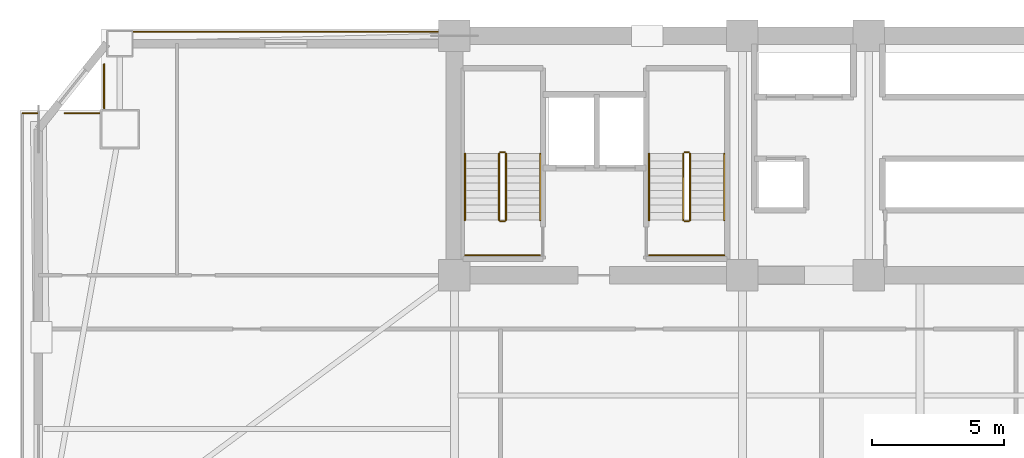
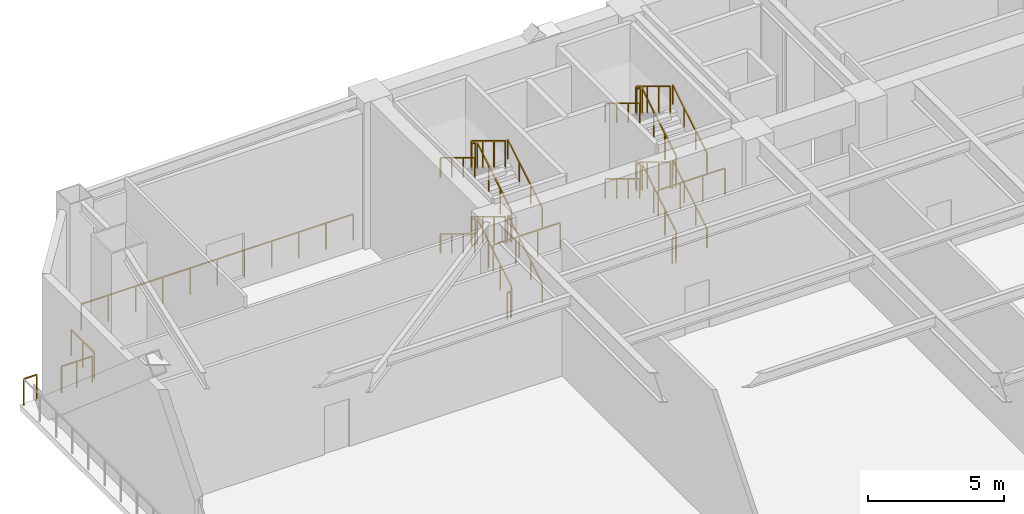
# One storey, part 21 of 22: 30 railings.
"""IFC4 building model written with IfcOpenShell, lengths in metres."""

from ifc_helpers import new_model, si_unit, direction, frame, origin, origin_2d, place, context, subcontext, project, spatial, rectangle, extrude, material, type_object, element, save


model = new_model("IFC4")

# Units and contexts
model_context = context("Model", 3, precision=1e-05, world=origin(), true_north=direction((0.0, 1.0)))
body_context = subcontext(model_context, "Body", "Model", "MODEL_VIEW")
ifc_project = project(units=[si_unit("LENGTHUNIT", "METRE"), si_unit("AREAUNIT", "SQUARE_METRE"), si_unit("VOLUMEUNIT", "CUBIC_METRE"), si_unit("PLANEANGLEUNIT", "RADIAN"), si_unit("MASSUNIT", "GRAM", prefix="KILO")], contexts=[model_context])

# Site, building, storey
site_placement = place(None, origin())
site = spatial("IfcSite", under=ifc_project, at=site_placement, CompositionType="ELEMENT")
building_placement = place(site_placement, origin())
building = spatial("IfcBuilding", under=site, at=building_placement, Name="Giltprow Tower", CompositionType="ELEMENT")
storey_placement = place(building_placement, frame((0.0, 0.0, 72.800048828125)))
storey = spatial("IfcBuildingStorey", under=building, at=storey_placement, Name="L18", CompositionType="ELEMENT", Elevation=72.800048828125)

# Railings
ifc_material = material(Name="Anodized bronze", Category="metal")
railing_type_1 = type_object("IfcRailingType", Name="RAIL-BALC-GUARD-1200", PredefinedType="BALUSTRADE", material=ifc_material)
railing_1_placement = place(storey_placement, frame((3.43994140625, 43.60400390625, 0.0)))
element("IfcRailing", 1, at=railing_1_placement, inside=storey, type_object=railing_type_1, Name="L18 Corner Apron Edge Balustrade 6", PredefinedType="BALUSTRADE", context=body_context, shape_type="SweptSolid", body=[
    extrude(rectangle(XDim=0.048095703125, YDim=0.048095703125, at=origin_2d()), frame((0.0, 0.0, 1.17578125), z_axis=(1.0, 0.0, 0.0), x_axis=(0.0, 1.0, 0.0)), (0.0, 0.0, 1.0), 0.55517578125),
    extrude(rectangle(XDim=0.0419921875, YDim=0.0419921875, at=origin_2d()), origin(), (0.0, 0.0, 1.0), 1.15185546875),
    extrude(rectangle(XDim=0.0419921875, YDim=0.0419921875, at=origin_2d()), frame((0.55517578125, 0.0, 0.0)), (0.0, 0.0, 1.0), 1.15185546875),
])
railing_2_placement = place(storey_placement, frame((5.044921875, 43.60400390625, 0.0)))
element("IfcRailing", 2, at=railing_2_placement, inside=storey, type_object=railing_type_1, Name="L18 Corner Apron Edge Balustrade 7", PredefinedType="BALUSTRADE", context=body_context, shape_type="SweptSolid", body=[
    extrude(rectangle(XDim=0.048095703125, YDim=0.048095703125, at=origin_2d()), frame((0.0, 0.0, 1.17578125), z_axis=(1.0, 0.0, 0.0), x_axis=(0.0, 1.0, 0.0)), (0.0, 0.0, 1.0), 1.30615234375),
    extrude(rectangle(XDim=0.0419921875, YDim=0.0419921875, at=origin_2d()), origin(), (0.0, 0.0, 1.0), 1.15185546875),
    extrude(rectangle(XDim=0.0419921875, YDim=0.0419921875, at=origin_2d()), frame((0.653076171875, 0.0, 0.0)), (0.0, 0.0, 1.0), 1.15185546875),
    extrude(rectangle(XDim=0.0419921875, YDim=0.0419921875, at=origin_2d()), frame((1.30615234375, 0.0, 0.0)), (0.0, 0.0, 1.0), 1.15185546875),
])
railing_3_placement = place(storey_placement, frame((6.535888671875, 43.7890625, 0.0)))
element("IfcRailing", 3, at=railing_3_placement, inside=storey, type_object=railing_type_1, Name="L18 Corner Apron Edge Balustrade 8", PredefinedType="BALUSTRADE", context=body_context, shape_type="SweptSolid", body=[
    extrude(rectangle(XDim=0.048095703125, YDim=0.048095703125, at=origin_2d()), frame((0.0, 0.0, 1.17578125), z_axis=(0.0, 1.0, 0.0), x_axis=(-1.0, 0.0, 0.0)), (0.0, 0.0, 1.0), 1.679931640625),
    extrude(rectangle(XDim=0.0419921875, YDim=0.0419921875, at=origin_2d()), origin(), (0.0, 0.0, 1.0), 1.15185546875),
    extrude(rectangle(XDim=0.0419921875, YDim=0.0419921875, at=origin_2d()), frame((0.0, 0.83984375, 0.0)), (0.0, 0.0, 1.0), 1.15185546875),
    extrude(rectangle(XDim=0.0419921875, YDim=0.0419921875, at=origin_2d()), frame((0.0, 1.679931640625, 0.0)), (0.0, 0.0, 1.0), 1.15185546875),
])
railing_4_placement = place(storey_placement, frame((7.6708984375, 46.699951171875, 0.0)))
element("IfcRailing", 4, at=railing_4_placement, inside=storey, type_object=railing_type_1, Name="L18 Corner Apron Edge Balustrade 9", PredefinedType="BALUSTRADE", context=body_context, shape_type="SweptSolid", body=[
    extrude(rectangle(XDim=0.048095703125, YDim=0.048095703125, at=origin_2d()), frame((0.0, 0.0, 1.17578125), z_axis=(1.0, 0.0, 0.0), x_axis=(0.0, 1.0, 0.0)), (0.0, 0.0, 1.0), 11.544189453125),
    extrude(rectangle(XDim=0.0419921875, YDim=0.0419921875, at=origin_2d()), origin(), (0.0, 0.0, 1.0), 1.15185546875),
    extrude(rectangle(XDim=0.0419921875, YDim=0.0419921875, at=origin_2d()), frame((1.154296875, 0.0, 0.0)), (0.0, 0.0, 1.0), 1.15185546875),
    extrude(rectangle(XDim=0.0419921875, YDim=0.0419921875, at=origin_2d()), frame((2.308837890625, 0.0, 0.0)), (0.0, 0.0, 1.0), 1.15185546875),
    extrude(rectangle(XDim=0.0419921875, YDim=0.0419921875, at=origin_2d()), frame((3.46337890625, 0.0, 0.0)), (0.0, 0.0, 1.0), 1.15185546875),
    extrude(rectangle(XDim=0.0419921875, YDim=0.0419921875, at=origin_2d()), frame((4.61767578125, 0.0, 0.0)), (0.0, 0.0, 1.0), 1.15185546875),
    extrude(rectangle(XDim=0.0419921875, YDim=0.0419921875, at=origin_2d()), frame((5.77197265625, 0.0, 0.0)), (0.0, 0.0, 1.0), 1.15185546875),
    extrude(rectangle(XDim=0.0419921875, YDim=0.0419921875, at=origin_2d()), frame((6.926513671875, 0.0, 0.0)), (0.0, 0.0, 1.0), 1.15185546875),
    extrude(rectangle(XDim=0.0419921875, YDim=0.0419921875, at=origin_2d()), frame((8.0810546875, 0.0, 0.0)), (0.0, 0.0, 1.0), 1.15185546875),
    extrude(rectangle(XDim=0.0419921875, YDim=0.0419921875, at=origin_2d()), frame((9.2353515625, 0.0, 0.0)), (0.0, 0.0, 1.0), 1.15185546875),
    extrude(rectangle(XDim=0.0419921875, YDim=0.0419921875, at=origin_2d()), frame((10.3896484375, 0.0, 0.0)), (0.0, 0.0, 1.0), 1.15185546875),
    extrude(rectangle(XDim=0.0419921875, YDim=0.0419921875, at=origin_2d()), frame((11.544189453125, 0.0, 0.0)), (0.0, 0.0, 1.0), 1.15185546875),
])
railing_type_2 = type_object("IfcRailingType", Name="RAIL-STAIR-GUARD-1200", PredefinedType="GUARDRAIL", material=ifc_material)
railing_5_placement = place(storey_placement, frame((21.81005859375, 39.550048828125, 0.169921875)))
element("IfcRailing", 5, at=railing_5_placement, inside=storey, type_object=railing_type_2, Name="L18 ST-1 stair guard 1", PredefinedType="GUARDRAIL", context=body_context, shape_type="SweptSolid", body=[
    extrude(rectangle(XDim=0.048095703125, YDim=0.048095703125, at=origin_2d()), frame((0.0, 0.0, 1.17578125), z_axis=(0.0, 0.85478489116, 0.518982456201), x_axis=(-1.0, 0.0, 0.0)), (0.0, 0.0, 1.0), 2.9482421875),
    extrude(rectangle(XDim=0.0419921875, YDim=0.0419921875, at=origin_2d()), origin(), (0.0, 0.0, 1.0), 1.15185546875),
    extrude(rectangle(XDim=0.0419921875, YDim=0.0419921875, at=origin_2d()), frame((0.0, 0.840087890625, 0.510009765625)), (0.0, 0.0, 1.0), 1.15185546875),
    extrude(rectangle(XDim=0.0419921875, YDim=0.0419921875, at=origin_2d()), frame((0.0, 1.679931640625, 1.02001953125)), (0.0, 0.0, 1.0), 1.15185546875),
    extrude(rectangle(XDim=0.0419921875, YDim=0.0419921875, at=origin_2d()), frame((0.0, 2.52001953125, 1.530029296875)), (0.0, 0.0, 1.0), 1.15185546875),
])
railing_6_placement = place(storey_placement, frame((21.760009765625, 42.1201171875, 1.699951171875)))
element("IfcRailing", 6, at=railing_6_placement, inside=storey, type_object=railing_type_2, Name="L18 ST-1 stair guard 2", PredefinedType="GUARDRAIL", context=body_context, shape_type="SweptSolid", body=[
    extrude(rectangle(XDim=0.048095703125, YDim=0.048095703125, at=origin_2d()), frame((0.0, 0.0, 1.17578125), z_axis=(-1.0, 0.0, 0.0), x_axis=(0.0, -1.0, 0.0)), (0.0, 0.0, 1.0), 0.159912109375),
    extrude(rectangle(XDim=0.0419921875, YDim=0.0419921875, at=origin_2d()), origin(), (0.0, 0.0, 1.0), 1.15185546875),
    extrude(rectangle(XDim=0.0419921875, YDim=0.0419921875, at=origin_2d()), frame((-0.159912109375, 0.0, 0.0)), (0.0, 0.0, 1.0), 1.15185546875),
])
railing_7_placement = place(storey_placement, frame((21.550048828125, 42.070068359375, 1.869873046875)))
element("IfcRailing", 7, at=railing_7_placement, inside=storey, type_object=railing_type_2, Name="L18 ST-1 stair guard 3", PredefinedType="GUARDRAIL", context=body_context, shape_type="SweptSolid", body=[
    extrude(rectangle(XDim=0.048095703125, YDim=0.048095703125, at=origin_2d()), frame((0.0, 0.0, 1.17578125), z_axis=(0.0, -0.85478489116, 0.518982456201), x_axis=(1.0, 0.0, 0.0)), (0.0, 0.0, 1.0), 2.9482421875),
    extrude(rectangle(XDim=0.0419921875, YDim=0.0419921875, at=origin_2d()), origin(), (0.0, 0.0, 1.0), 1.15185546875),
    extrude(rectangle(XDim=0.0419921875, YDim=0.0419921875, at=origin_2d()), frame((0.0, -0.840087890625, 0.510009765625)), (0.0, 0.0, 1.0), 1.15185546875),
    extrude(rectangle(XDim=0.0419921875, YDim=0.0419921875, at=origin_2d()), frame((0.0, -1.679931640625, 1.02001953125)), (0.0, 0.0, 1.0), 1.15185546875),
    extrude(rectangle(XDim=0.0419921875, YDim=0.0419921875, at=origin_2d()), frame((0.0, -2.52001953125, 1.530029296875)), (0.0, 0.0, 1.0), 1.15185546875),
])
railing_8_placement = place(storey_placement, frame((21.760009765625, 39.5, 3.39990234375)))
element("IfcRailing", 8, at=railing_8_placement, inside=storey, type_object=railing_type_2, Name="L18 ST-1 stair guard 4", PredefinedType="GUARDRAIL", context=body_context, shape_type="SweptSolid", body=[
    extrude(rectangle(XDim=0.048095703125, YDim=0.048095703125, at=origin_2d()), frame((0.0, 0.0, 1.17578125), z_axis=(-1.0, 0.0, 0.0), x_axis=(0.0, -1.0, 0.0)), (0.0, 0.0, 1.0), 0.159912109375),
    extrude(rectangle(XDim=0.0419921875, YDim=0.0419921875, at=origin_2d()), origin(), (0.0, 0.0, 1.0), 1.15185546875),
    extrude(rectangle(XDim=0.0419921875, YDim=0.0419921875, at=origin_2d()), frame((-0.159912109375, 0.0, 0.0)), (0.0, 0.0, 1.0), 1.15185546875),
])
railing_9_placement = place(storey_placement, frame((21.81005859375, 39.550048828125, 3.570068359375)))
element("IfcRailing", 9, at=railing_9_placement, inside=storey, type_object=railing_type_2, Name="L18 ST-1 stair guard 5", PredefinedType="GUARDRAIL", context=body_context, shape_type="SweptSolid", body=[
    extrude(rectangle(XDim=0.048095703125, YDim=0.048095703125, at=origin_2d()), frame((0.0, 0.0, 1.17578125), z_axis=(0.0, 0.854821627497, 0.518921945155), x_axis=(-1.0, 0.0, 0.0)), (0.0, 0.0, 1.0), 2.947998046875),
    extrude(rectangle(XDim=0.0419921875, YDim=0.0419921875, at=origin_2d()), origin(), (0.0, 0.0, 1.0), 1.15185546875),
    extrude(rectangle(XDim=0.0419921875, YDim=0.0419921875, at=origin_2d()), frame((0.0, 0.840087890625, 0.510009765625)), (0.0, 0.0, 1.0), 1.15185546875),
    extrude(rectangle(XDim=0.0419921875, YDim=0.0419921875, at=origin_2d()), frame((0.0, 1.679931640625, 1.019775390625)), (0.0, 0.0, 1.0), 1.15185546875),
    extrude(rectangle(XDim=0.0419921875, YDim=0.0419921875, at=origin_2d()), frame((0.0, 2.52001953125, 1.52978515625)), (0.0, 0.0, 1.0), 1.15185546875),
])
railing_10_placement = place(storey_placement, frame((21.760009765625, 42.1201171875, 5.099853515625)))
element("IfcRailing", 10, at=railing_10_placement, inside=storey, type_object=railing_type_2, Name="L18 ST-1 stair guard 6", PredefinedType="GUARDRAIL", context=body_context, shape_type="SweptSolid", body=[
    extrude(rectangle(XDim=0.048095703125, YDim=0.048095703125, at=origin_2d()), frame((0.0, 0.0, 1.17578125), z_axis=(-1.0, 0.0, 0.0), x_axis=(0.0, -1.0, 0.0)), (0.0, 0.0, 1.0), 0.159912109375),
    extrude(rectangle(XDim=0.0419921875, YDim=0.0419921875, at=origin_2d()), origin(), (0.0, 0.0, 1.0), 1.15185546875),
    extrude(rectangle(XDim=0.0419921875, YDim=0.0419921875, at=origin_2d()), frame((-0.159912109375, 0.0, 0.0)), (0.0, 0.0, 1.0), 1.15185546875),
])
railing_11_placement = place(storey_placement, frame((21.550048828125, 42.070068359375, 5.27001953125)))
element("IfcRailing", 11, at=railing_11_placement, inside=storey, type_object=railing_type_2, Name="L18 ST-1 stair guard 7", PredefinedType="GUARDRAIL", context=body_context, shape_type="SweptSolid", body=[
    extrude(rectangle(XDim=0.048095703125, YDim=0.048095703125, at=origin_2d()), frame((0.0, 0.0, 1.17578125), z_axis=(0.0, -0.85478489116, 0.518982456201), x_axis=(1.0, 0.0, 0.0)), (0.0, 0.0, 1.0), 2.9482421875),
    extrude(rectangle(XDim=0.0419921875, YDim=0.0419921875, at=origin_2d()), origin(), (0.0, 0.0, 1.0), 1.15185546875),
    extrude(rectangle(XDim=0.0419921875, YDim=0.0419921875, at=origin_2d()), frame((0.0, -0.840087890625, 0.510009765625)), (0.0, 0.0, 1.0), 1.15185546875),
    extrude(rectangle(XDim=0.0419921875, YDim=0.0419921875, at=origin_2d()), frame((0.0, -1.679931640625, 1.02001953125)), (0.0, 0.0, 1.0), 1.15185546875),
    extrude(rectangle(XDim=0.0419921875, YDim=0.0419921875, at=origin_2d()), frame((0.0, -2.52001953125, 1.530029296875)), (0.0, 0.0, 1.0), 1.15185546875),
])
railing_12_placement = place(storey_placement, frame((21.760009765625, 39.5, 0.0)))
element("IfcRailing", 12, at=railing_12_placement, inside=storey, type_object=railing_type_2, Name="L18 ST-1 stair guard 8", PredefinedType="GUARDRAIL", context=body_context, shape_type="SweptSolid", body=[
    extrude(rectangle(XDim=0.048095703125, YDim=0.048095703125, at=origin_2d()), frame((0.0, 0.0, 1.17578125), z_axis=(-1.0, 0.0, 0.0), x_axis=(0.0, -1.0, 0.0)), (0.0, 0.0, 1.0), 0.159912109375),
    extrude(rectangle(XDim=0.0419921875, YDim=0.0419921875, at=origin_2d()), origin(), (0.0, 0.0, 1.0), 1.15185546875),
    extrude(rectangle(XDim=0.0419921875, YDim=0.0419921875, at=origin_2d()), frame((-0.159912109375, 0.0, 0.0)), (0.0, 0.0, 1.0), 1.15185546875),
])
railing_13_placement = place(storey_placement, frame((20.260009765625, 38.2099609375, 3.39990234375)))
element("IfcRailing", 13, at=railing_13_placement, inside=storey, type_object=railing_type_2, Name="L18 ST-1 Mid-Landing Guard 2", PredefinedType="GUARDRAIL", context=body_context, shape_type="SweptSolid", body=[
    extrude(rectangle(XDim=0.048095703125, YDim=0.048095703125, at=origin_2d()), frame((0.0, 0.0, 1.17578125), z_axis=(1.0, 0.0, 0.0), x_axis=(0.0, 1.0, 0.0)), (0.0, 0.0, 1.0), 2.840087890625),
    extrude(rectangle(XDim=0.0419921875, YDim=0.0419921875, at=origin_2d()), origin(), (0.0, 0.0, 1.0), 1.15185546875),
    extrude(rectangle(XDim=0.0419921875, YDim=0.0419921875, at=origin_2d()), frame((0.94677734375, 0.0, 0.0)), (0.0, 0.0, 1.0), 1.15185546875),
    extrude(rectangle(XDim=0.0419921875, YDim=0.0419921875, at=origin_2d()), frame((1.893310546875, 0.0, 0.0)), (0.0, 0.0, 1.0), 1.15185546875),
    extrude(rectangle(XDim=0.0419921875, YDim=0.0419921875, at=origin_2d()), frame((2.840087890625, 0.0, 0.0)), (0.0, 0.0, 1.0), 1.15185546875),
])
railing_14_placement = place(storey_placement, frame((28.81005859375, 39.550048828125, 0.169921875)))
element("IfcRailing", 14, at=railing_14_placement, inside=storey, type_object=railing_type_2, Name="L18 ST-2 stair guard 1", PredefinedType="GUARDRAIL", context=body_context, shape_type="SweptSolid", body=[
    extrude(rectangle(XDim=0.048095703125, YDim=0.048095703125, at=origin_2d()), frame((0.0, 0.0, 1.17578125), z_axis=(0.0, 0.85478489116, 0.518982456201), x_axis=(-1.0, 0.0, 0.0)), (0.0, 0.0, 1.0), 2.9482421875),
    extrude(rectangle(XDim=0.0419921875, YDim=0.0419921875, at=origin_2d()), origin(), (0.0, 0.0, 1.0), 1.15185546875),
    extrude(rectangle(XDim=0.0419921875, YDim=0.0419921875, at=origin_2d()), frame((0.0, 0.840087890625, 0.510009765625)), (0.0, 0.0, 1.0), 1.15185546875),
    extrude(rectangle(XDim=0.0419921875, YDim=0.0419921875, at=origin_2d()), frame((0.0, 1.679931640625, 1.02001953125)), (0.0, 0.0, 1.0), 1.15185546875),
    extrude(rectangle(XDim=0.0419921875, YDim=0.0419921875, at=origin_2d()), frame((0.0, 2.52001953125, 1.530029296875)), (0.0, 0.0, 1.0), 1.15185546875),
])
railing_15_placement = place(storey_placement, frame((28.760009765625, 42.1201171875, 1.699951171875)))
element("IfcRailing", 15, at=railing_15_placement, inside=storey, type_object=railing_type_2, Name="L18 ST-2 stair guard 2", PredefinedType="GUARDRAIL", context=body_context, shape_type="SweptSolid", body=[
    extrude(rectangle(XDim=0.048095703125, YDim=0.048095703125, at=origin_2d()), frame((0.0, 0.0, 1.17578125), z_axis=(-1.0, 0.0, 0.0), x_axis=(0.0, -1.0, 0.0)), (0.0, 0.0, 1.0), 0.159912109375),
    extrude(rectangle(XDim=0.0419921875, YDim=0.0419921875, at=origin_2d()), origin(), (0.0, 0.0, 1.0), 1.15185546875),
    extrude(rectangle(XDim=0.0419921875, YDim=0.0419921875, at=origin_2d()), frame((-0.159912109375, 0.0, 0.0)), (0.0, 0.0, 1.0), 1.15185546875),
])
railing_16_placement = place(storey_placement, frame((28.550048828125, 42.070068359375, 1.869873046875)))
element("IfcRailing", 16, at=railing_16_placement, inside=storey, type_object=railing_type_2, Name="L18 ST-2 stair guard 3", PredefinedType="GUARDRAIL", context=body_context, shape_type="SweptSolid", body=[
    extrude(rectangle(XDim=0.048095703125, YDim=0.048095703125, at=origin_2d()), frame((0.0, 0.0, 1.17578125), z_axis=(0.0, -0.85478489116, 0.518982456201), x_axis=(1.0, 0.0, 0.0)), (0.0, 0.0, 1.0), 2.9482421875),
    extrude(rectangle(XDim=0.0419921875, YDim=0.0419921875, at=origin_2d()), origin(), (0.0, 0.0, 1.0), 1.15185546875),
    extrude(rectangle(XDim=0.0419921875, YDim=0.0419921875, at=origin_2d()), frame((0.0, -0.840087890625, 0.510009765625)), (0.0, 0.0, 1.0), 1.15185546875),
    extrude(rectangle(XDim=0.0419921875, YDim=0.0419921875, at=origin_2d()), frame((0.0, -1.679931640625, 1.02001953125)), (0.0, 0.0, 1.0), 1.15185546875),
    extrude(rectangle(XDim=0.0419921875, YDim=0.0419921875, at=origin_2d()), frame((0.0, -2.52001953125, 1.530029296875)), (0.0, 0.0, 1.0), 1.15185546875),
])
railing_17_placement = place(storey_placement, frame((28.760009765625, 39.5, 3.39990234375)))
element("IfcRailing", 17, at=railing_17_placement, inside=storey, type_object=railing_type_2, Name="L18 ST-2 stair guard 4", PredefinedType="GUARDRAIL", context=body_context, shape_type="SweptSolid", body=[
    extrude(rectangle(XDim=0.048095703125, YDim=0.048095703125, at=origin_2d()), frame((0.0, 0.0, 1.17578125), z_axis=(-1.0, 0.0, 0.0), x_axis=(0.0, -1.0, 0.0)), (0.0, 0.0, 1.0), 0.159912109375),
    extrude(rectangle(XDim=0.0419921875, YDim=0.0419921875, at=origin_2d()), origin(), (0.0, 0.0, 1.0), 1.15185546875),
    extrude(rectangle(XDim=0.0419921875, YDim=0.0419921875, at=origin_2d()), frame((-0.159912109375, 0.0, 0.0)), (0.0, 0.0, 1.0), 1.15185546875),
])
railing_18_placement = place(storey_placement, frame((28.81005859375, 39.550048828125, 3.570068359375)))
element("IfcRailing", 18, at=railing_18_placement, inside=storey, type_object=railing_type_2, Name="L18 ST-2 stair guard 5", PredefinedType="GUARDRAIL", context=body_context, shape_type="SweptSolid", body=[
    extrude(rectangle(XDim=0.048095703125, YDim=0.048095703125, at=origin_2d()), frame((0.0, 0.0, 1.17578125), z_axis=(0.0, 0.854821627497, 0.518921945155), x_axis=(-1.0, 0.0, 0.0)), (0.0, 0.0, 1.0), 2.947998046875),
    extrude(rectangle(XDim=0.0419921875, YDim=0.0419921875, at=origin_2d()), origin(), (0.0, 0.0, 1.0), 1.15185546875),
    extrude(rectangle(XDim=0.0419921875, YDim=0.0419921875, at=origin_2d()), frame((0.0, 0.840087890625, 0.510009765625)), (0.0, 0.0, 1.0), 1.15185546875),
    extrude(rectangle(XDim=0.0419921875, YDim=0.0419921875, at=origin_2d()), frame((0.0, 1.679931640625, 1.019775390625)), (0.0, 0.0, 1.0), 1.15185546875),
    extrude(rectangle(XDim=0.0419921875, YDim=0.0419921875, at=origin_2d()), frame((0.0, 2.52001953125, 1.52978515625)), (0.0, 0.0, 1.0), 1.15185546875),
])
railing_19_placement = place(storey_placement, frame((28.760009765625, 42.1201171875, 5.099853515625)))
element("IfcRailing", 19, at=railing_19_placement, inside=storey, type_object=railing_type_2, Name="L18 ST-2 stair guard 6", PredefinedType="GUARDRAIL", context=body_context, shape_type="SweptSolid", body=[
    extrude(rectangle(XDim=0.048095703125, YDim=0.048095703125, at=origin_2d()), frame((0.0, 0.0, 1.17578125), z_axis=(-1.0, 0.0, 0.0), x_axis=(0.0, -1.0, 0.0)), (0.0, 0.0, 1.0), 0.159912109375),
    extrude(rectangle(XDim=0.0419921875, YDim=0.0419921875, at=origin_2d()), origin(), (0.0, 0.0, 1.0), 1.15185546875),
    extrude(rectangle(XDim=0.0419921875, YDim=0.0419921875, at=origin_2d()), frame((-0.159912109375, 0.0, 0.0)), (0.0, 0.0, 1.0), 1.15185546875),
])
railing_20_placement = place(storey_placement, frame((28.550048828125, 42.070068359375, 5.27001953125)))
element("IfcRailing", 20, at=railing_20_placement, inside=storey, type_object=railing_type_2, Name="L18 ST-2 stair guard 7", PredefinedType="GUARDRAIL", context=body_context, shape_type="SweptSolid", body=[
    extrude(rectangle(XDim=0.048095703125, YDim=0.048095703125, at=origin_2d()), frame((0.0, 0.0, 1.17578125), z_axis=(0.0, -0.85478489116, 0.518982456201), x_axis=(1.0, 0.0, 0.0)), (0.0, 0.0, 1.0), 2.9482421875),
    extrude(rectangle(XDim=0.0419921875, YDim=0.0419921875, at=origin_2d()), origin(), (0.0, 0.0, 1.0), 1.15185546875),
    extrude(rectangle(XDim=0.0419921875, YDim=0.0419921875, at=origin_2d()), frame((0.0, -0.840087890625, 0.510009765625)), (0.0, 0.0, 1.0), 1.15185546875),
    extrude(rectangle(XDim=0.0419921875, YDim=0.0419921875, at=origin_2d()), frame((0.0, -1.679931640625, 1.02001953125)), (0.0, 0.0, 1.0), 1.15185546875),
    extrude(rectangle(XDim=0.0419921875, YDim=0.0419921875, at=origin_2d()), frame((0.0, -2.52001953125, 1.530029296875)), (0.0, 0.0, 1.0), 1.15185546875),
])
railing_21_placement = place(storey_placement, frame((28.760009765625, 39.5, 0.0)))
element("IfcRailing", 21, at=railing_21_placement, inside=storey, type_object=railing_type_2, Name="L18 ST-2 stair guard 8", PredefinedType="GUARDRAIL", context=body_context, shape_type="SweptSolid", body=[
    extrude(rectangle(XDim=0.048095703125, YDim=0.048095703125, at=origin_2d()), frame((0.0, 0.0, 1.17578125), z_axis=(-1.0, 0.0, 0.0), x_axis=(0.0, -1.0, 0.0)), (0.0, 0.0, 1.0), 0.159912109375),
    extrude(rectangle(XDim=0.0419921875, YDim=0.0419921875, at=origin_2d()), origin(), (0.0, 0.0, 1.0), 1.15185546875),
    extrude(rectangle(XDim=0.0419921875, YDim=0.0419921875, at=origin_2d()), frame((-0.159912109375, 0.0, 0.0)), (0.0, 0.0, 1.0), 1.15185546875),
])
railing_22_placement = place(storey_placement, frame((27.260009765625, 38.2099609375, 3.39990234375)))
element("IfcRailing", 22, at=railing_22_placement, inside=storey, type_object=railing_type_2, Name="L18 ST-2 Mid-Landing Guard 2", PredefinedType="GUARDRAIL", context=body_context, shape_type="SweptSolid", body=[
    extrude(rectangle(XDim=0.048095703125, YDim=0.048095703125, at=origin_2d()), frame((0.0, 0.0, 1.17578125), z_axis=(1.0, 0.0, 0.0), x_axis=(0.0, 1.0, 0.0)), (0.0, 0.0, 1.0), 2.840087890625),
    extrude(rectangle(XDim=0.0419921875, YDim=0.0419921875, at=origin_2d()), origin(), (0.0, 0.0, 1.0), 1.15185546875),
    extrude(rectangle(XDim=0.0419921875, YDim=0.0419921875, at=origin_2d()), frame((0.94677734375, 0.0, 0.0)), (0.0, 0.0, 1.0), 1.15185546875),
    extrude(rectangle(XDim=0.0419921875, YDim=0.0419921875, at=origin_2d()), frame((1.893310546875, 0.0, 0.0)), (0.0, 0.0, 1.0), 1.15185546875),
    extrude(rectangle(XDim=0.0419921875, YDim=0.0419921875, at=origin_2d()), frame((2.840087890625, 0.0, 0.0)), (0.0, 0.0, 1.0), 1.15185546875),
])
railing_type_3 = type_object("IfcRailingType", Name="RAIL-STAIR-HAND-900", PredefinedType="HANDRAIL", material=ifc_material)
railing_23_placement = place(storey_placement, frame((23.110107421875, 39.550048828125, 0.169921875)))
element("IfcRailing", 23, at=railing_23_placement, inside=storey, type_object=railing_type_3, Name="L18 ST-1 stair handrail 1", PredefinedType="HANDRAIL", context=body_context, shape_type="SweptSolid", body=[
    extrude(rectangle(XDim=0.048095703125, YDim=0.048095703125, at=origin_2d()), frame((0.0, 0.0, 0.8759765625), z_axis=(0.0, 0.85478489116, 0.518982456201), x_axis=(-1.0, 0.0, 0.0)), (0.0, 0.0, 1.0), 2.9482421875),
    extrude(rectangle(XDim=0.0419921875, YDim=0.0419921875, at=origin_2d()), origin(), (0.0, 0.0, 1.0), 0.851806640625),
    extrude(rectangle(XDim=0.0419921875, YDim=0.0419921875, at=origin_2d()), frame((0.0, 0.840087890625, 0.510009765625)), (0.0, 0.0, 1.0), 0.851806640625),
    extrude(rectangle(XDim=0.0419921875, YDim=0.0419921875, at=origin_2d()), frame((0.0, 1.679931640625, 1.02001953125)), (0.0, 0.0, 1.0), 0.851806640625),
    extrude(rectangle(XDim=0.0419921875, YDim=0.0419921875, at=origin_2d()), frame((0.0, 2.52001953125, 1.530029296875)), (0.0, 0.0, 1.0), 0.851806640625),
])
railing_24_placement = place(storey_placement, frame((20.25, 42.070068359375, 1.869873046875)))
element("IfcRailing", 24, at=railing_24_placement, inside=storey, type_object=railing_type_3, Name="L18 ST-1 stair handrail 2", PredefinedType="HANDRAIL", context=body_context, shape_type="SweptSolid", body=[
    extrude(rectangle(XDim=0.048095703125, YDim=0.048095703125, at=origin_2d()), frame((0.0, 0.0, 0.8759765625), z_axis=(0.0, -0.85478489116, 0.518982456201), x_axis=(1.0, 0.0, 0.0)), (0.0, 0.0, 1.0), 2.9482421875),
    extrude(rectangle(XDim=0.0419921875, YDim=0.0419921875, at=origin_2d()), origin(), (0.0, 0.0, 1.0), 0.851806640625),
    extrude(rectangle(XDim=0.0419921875, YDim=0.0419921875, at=origin_2d()), frame((0.0, -0.840087890625, 0.510009765625)), (0.0, 0.0, 1.0), 0.851806640625),
    extrude(rectangle(XDim=0.0419921875, YDim=0.0419921875, at=origin_2d()), frame((0.0, -1.679931640625, 1.02001953125)), (0.0, 0.0, 1.0), 0.851806640625),
    extrude(rectangle(XDim=0.0419921875, YDim=0.0419921875, at=origin_2d()), frame((0.0, -2.52001953125, 1.530029296875)), (0.0, 0.0, 1.0), 0.851806640625),
])
railing_25_placement = place(storey_placement, frame((23.110107421875, 39.550048828125, 3.570068359375)))
element("IfcRailing", 25, at=railing_25_placement, inside=storey, type_object=railing_type_3, Name="L18 ST-1 stair handrail 3", PredefinedType="HANDRAIL", context=body_context, shape_type="SweptSolid", body=[
    extrude(rectangle(XDim=0.048095703125, YDim=0.048095703125, at=origin_2d()), frame((0.0, 0.0, 0.8759765625), z_axis=(0.0, 0.854821627497, 0.518921945155), x_axis=(-1.0, 0.0, 0.0)), (0.0, 0.0, 1.0), 2.947998046875),
    extrude(rectangle(XDim=0.0419921875, YDim=0.0419921875, at=origin_2d()), origin(), (0.0, 0.0, 1.0), 0.851806640625),
    extrude(rectangle(XDim=0.0419921875, YDim=0.0419921875, at=origin_2d()), frame((0.0, 0.840087890625, 0.510009765625)), (0.0, 0.0, 1.0), 0.851806640625),
    extrude(rectangle(XDim=0.0419921875, YDim=0.0419921875, at=origin_2d()), frame((0.0, 1.679931640625, 1.019775390625)), (0.0, 0.0, 1.0), 0.851806640625),
    extrude(rectangle(XDim=0.0419921875, YDim=0.0419921875, at=origin_2d()), frame((0.0, 2.52001953125, 1.52978515625)), (0.0, 0.0, 1.0), 0.851806640625),
])
railing_26_placement = place(storey_placement, frame((20.25, 42.070068359375, 5.27001953125)))
element("IfcRailing", 26, at=railing_26_placement, inside=storey, type_object=railing_type_3, Name="L18 ST-1 stair handrail 4", PredefinedType="HANDRAIL", context=body_context, shape_type="SweptSolid", body=[
    extrude(rectangle(XDim=0.048095703125, YDim=0.048095703125, at=origin_2d()), frame((0.0, 0.0, 0.8759765625), z_axis=(0.0, -0.85478489116, 0.518982456201), x_axis=(1.0, 0.0, 0.0)), (0.0, 0.0, 1.0), 2.9482421875),
    extrude(rectangle(XDim=0.0419921875, YDim=0.0419921875, at=origin_2d()), origin(), (0.0, 0.0, 1.0), 0.851806640625),
    extrude(rectangle(XDim=0.0419921875, YDim=0.0419921875, at=origin_2d()), frame((0.0, -0.840087890625, 0.510009765625)), (0.0, 0.0, 1.0), 0.851806640625),
    extrude(rectangle(XDim=0.0419921875, YDim=0.0419921875, at=origin_2d()), frame((0.0, -1.679931640625, 1.02001953125)), (0.0, 0.0, 1.0), 0.851806640625),
    extrude(rectangle(XDim=0.0419921875, YDim=0.0419921875, at=origin_2d()), frame((0.0, -2.52001953125, 1.530029296875)), (0.0, 0.0, 1.0), 0.851806640625),
])
railing_27_placement = place(storey_placement, frame((30.110107421875, 39.550048828125, 0.169921875)))
element("IfcRailing", 27, at=railing_27_placement, inside=storey, type_object=railing_type_3, Name="L18 ST-2 stair handrail 1", PredefinedType="HANDRAIL", context=body_context, shape_type="SweptSolid", body=[
    extrude(rectangle(XDim=0.048095703125, YDim=0.048095703125, at=origin_2d()), frame((0.0, 0.0, 0.8759765625), z_axis=(0.0, 0.85478489116, 0.518982456201), x_axis=(-1.0, 0.0, 0.0)), (0.0, 0.0, 1.0), 2.9482421875),
    extrude(rectangle(XDim=0.0419921875, YDim=0.0419921875, at=origin_2d()), origin(), (0.0, 0.0, 1.0), 0.851806640625),
    extrude(rectangle(XDim=0.0419921875, YDim=0.0419921875, at=origin_2d()), frame((0.0, 0.840087890625, 0.510009765625)), (0.0, 0.0, 1.0), 0.851806640625),
    extrude(rectangle(XDim=0.0419921875, YDim=0.0419921875, at=origin_2d()), frame((0.0, 1.679931640625, 1.02001953125)), (0.0, 0.0, 1.0), 0.851806640625),
    extrude(rectangle(XDim=0.0419921875, YDim=0.0419921875, at=origin_2d()), frame((0.0, 2.52001953125, 1.530029296875)), (0.0, 0.0, 1.0), 0.851806640625),
])
railing_28_placement = place(storey_placement, frame((27.25, 42.070068359375, 1.869873046875)))
element("IfcRailing", 28, at=railing_28_placement, inside=storey, type_object=railing_type_3, Name="L18 ST-2 stair handrail 2", PredefinedType="HANDRAIL", context=body_context, shape_type="SweptSolid", body=[
    extrude(rectangle(XDim=0.048095703125, YDim=0.048095703125, at=origin_2d()), frame((0.0, 0.0, 0.8759765625), z_axis=(0.0, -0.85478489116, 0.518982456201), x_axis=(1.0, 0.0, 0.0)), (0.0, 0.0, 1.0), 2.9482421875),
    extrude(rectangle(XDim=0.0419921875, YDim=0.0419921875, at=origin_2d()), origin(), (0.0, 0.0, 1.0), 0.851806640625),
    extrude(rectangle(XDim=0.0419921875, YDim=0.0419921875, at=origin_2d()), frame((0.0, -0.840087890625, 0.510009765625)), (0.0, 0.0, 1.0), 0.851806640625),
    extrude(rectangle(XDim=0.0419921875, YDim=0.0419921875, at=origin_2d()), frame((0.0, -1.679931640625, 1.02001953125)), (0.0, 0.0, 1.0), 0.851806640625),
    extrude(rectangle(XDim=0.0419921875, YDim=0.0419921875, at=origin_2d()), frame((0.0, -2.52001953125, 1.530029296875)), (0.0, 0.0, 1.0), 0.851806640625),
])
railing_29_placement = place(storey_placement, frame((30.110107421875, 39.550048828125, 3.570068359375)))
element("IfcRailing", 29, at=railing_29_placement, inside=storey, type_object=railing_type_3, Name="L18 ST-2 stair handrail 3", PredefinedType="HANDRAIL", context=body_context, shape_type="SweptSolid", body=[
    extrude(rectangle(XDim=0.048095703125, YDim=0.048095703125, at=origin_2d()), frame((0.0, 0.0, 0.8759765625), z_axis=(0.0, 0.854821627497, 0.518921945155), x_axis=(-1.0, 0.0, 0.0)), (0.0, 0.0, 1.0), 2.947998046875),
    extrude(rectangle(XDim=0.0419921875, YDim=0.0419921875, at=origin_2d()), origin(), (0.0, 0.0, 1.0), 0.851806640625),
    extrude(rectangle(XDim=0.0419921875, YDim=0.0419921875, at=origin_2d()), frame((0.0, 0.840087890625, 0.510009765625)), (0.0, 0.0, 1.0), 0.851806640625),
    extrude(rectangle(XDim=0.0419921875, YDim=0.0419921875, at=origin_2d()), frame((0.0, 1.679931640625, 1.019775390625)), (0.0, 0.0, 1.0), 0.851806640625),
    extrude(rectangle(XDim=0.0419921875, YDim=0.0419921875, at=origin_2d()), frame((0.0, 2.52001953125, 1.52978515625)), (0.0, 0.0, 1.0), 0.851806640625),
])
railing_30_placement = place(storey_placement, frame((27.25, 42.070068359375, 5.27001953125)))
element("IfcRailing", 30, at=railing_30_placement, inside=storey, type_object=railing_type_3, Name="L18 ST-2 stair handrail 4", PredefinedType="HANDRAIL", context=body_context, shape_type="SweptSolid", body=[
    extrude(rectangle(XDim=0.048095703125, YDim=0.048095703125, at=origin_2d()), frame((0.0, 0.0, 0.8759765625), z_axis=(0.0, -0.85478489116, 0.518982456201), x_axis=(1.0, 0.0, 0.0)), (0.0, 0.0, 1.0), 2.9482421875),
    extrude(rectangle(XDim=0.0419921875, YDim=0.0419921875, at=origin_2d()), origin(), (0.0, 0.0, 1.0), 0.851806640625),
    extrude(rectangle(XDim=0.0419921875, YDim=0.0419921875, at=origin_2d()), frame((0.0, -0.840087890625, 0.510009765625)), (0.0, 0.0, 1.0), 0.851806640625),
    extrude(rectangle(XDim=0.0419921875, YDim=0.0419921875, at=origin_2d()), frame((0.0, -1.679931640625, 1.02001953125)), (0.0, 0.0, 1.0), 0.851806640625),
    extrude(rectangle(XDim=0.0419921875, YDim=0.0419921875, at=origin_2d()), frame((0.0, -2.52001953125, 1.530029296875)), (0.0, 0.0, 1.0), 0.851806640625),
])

save(model, "model.ifc")
